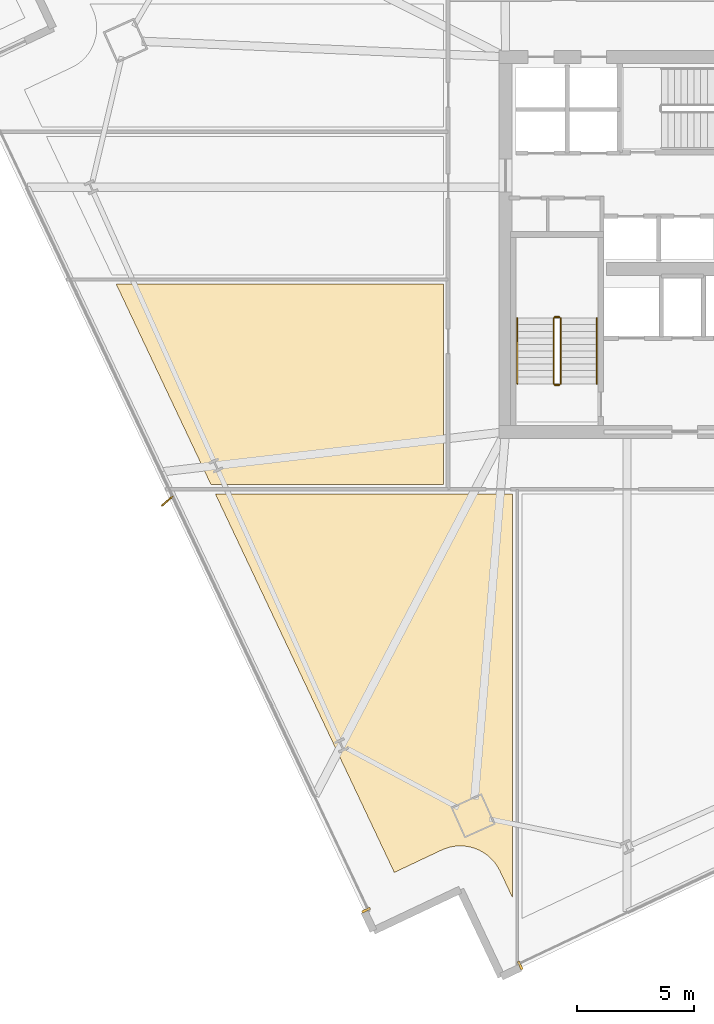
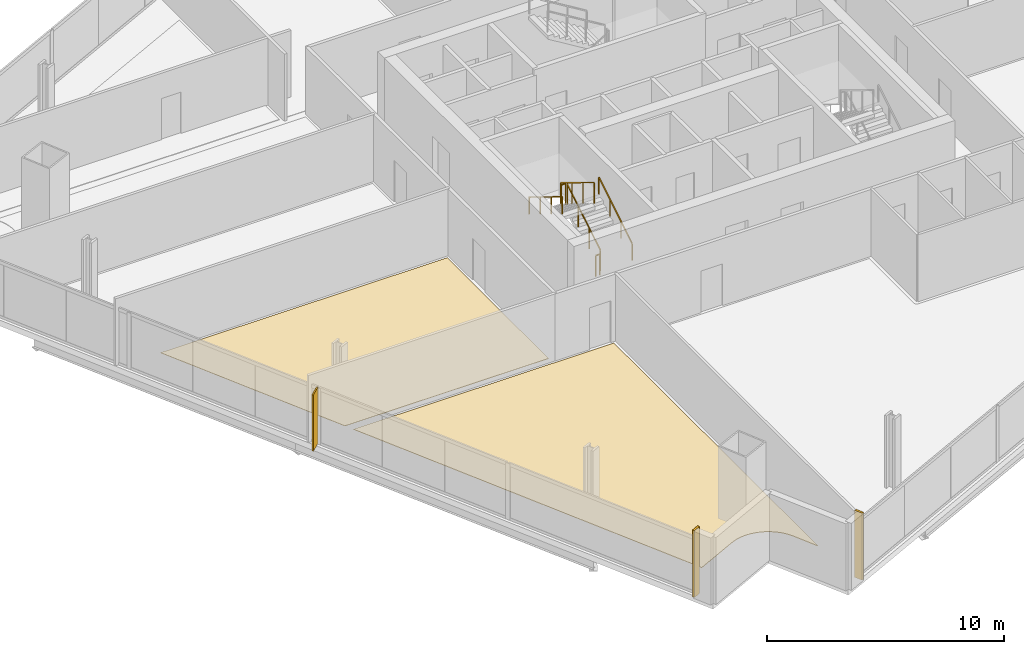
# One storey, part 29 of 34: 6 railings, 4 coverings, 1 shading device.
"""IFC4 building model written with IfcOpenShell, lengths in metres."""

from ifc_helpers import new_model, si_unit, direction, frame, origin, origin_2d, place, context, subcontext, project, spatial, polyline, rectangle, outline, extrude, source, transform, mapped, material, layer, layer_set, type_object, element, save


model = new_model("IFC4")

# Units and contexts
model_context = context("Model", 3, precision=1e-05, world=origin(), true_north=direction((0.0, 1.0)))
body_context = subcontext(model_context, "Body", "Model", "MODEL_VIEW")
ifc_project = project(units=[si_unit("LENGTHUNIT", "METRE"), si_unit("AREAUNIT", "SQUARE_METRE"), si_unit("VOLUMEUNIT", "CUBIC_METRE"), si_unit("PLANEANGLEUNIT", "RADIAN"), si_unit("MASSUNIT", "GRAM", prefix="KILO")], contexts=[model_context])

# Site, building, storey
site_placement = place(None, origin())
site = spatial("IfcSite", under=ifc_project, at=site_placement, CompositionType="ELEMENT")
building_placement = place(site_placement, origin())
building = spatial("IfcBuilding", under=site, at=building_placement, Name="Haldenkirk Collegiate Tower", CompositionType="ELEMENT")
storey_placement = place(building_placement, frame((0.0, 0.0, 112.949951171875)))
storey = spatial("IfcBuildingStorey", under=building, at=storey_placement, Name="L27", CompositionType="ELEMENT", Elevation=112.949951171875)

# Coverings
ifc_material_1 = material(Name="Polished collegiate terrazzo", Category="concrete")
ifc_layer_1 = layer(ifc_material_1, 0.02490234375)
ifc_layer_set_1 = layer_set([ifc_layer_1], Name="Polished collegiate terrazzo")
covering_type_1 = type_object("IfcCoveringType", Name="COV-FLOOR-TERRAZZO", PredefinedType="FLOORING", material=ifc_layer_set_1)
covering_1_placement = place(storey_placement, origin())
element("IfcCovering", 1, at=covering_1_placement, inside=storey, type_object=covering_type_1, Name="L27 academic room finish 02", PredefinedType="FLOORING", context=body_context, shape_type="SweptSolid", body=[
    extrude(outline(polyline([(26.18896484375, -0.039306640625), (26.179443359375, -0.0322265625), (26.03662109375, 0.063232421875), (26.026611328125, 0.069091796875), (25.875, 0.150146484375), (25.864501953125, 0.1552734375), (25.705810546875, 0.220947265625), (25.694580078125, 0.22509765625), (25.530517578125, 0.27490234375), (25.518798828125, 0.27783203125), (25.3505859375, 0.311279296875), (25.3388671875, 0.31298828125), (25.16796875, 0.329833984375), (25.15625, 0.33056640625), (24.984375, 0.33056640625), (24.97265625, 0.329833984375), (24.8017578125, 0.31298828125), (24.790283203125, 0.311279296875), (24.621826171875, 0.278076171875), (24.610107421875, 0.275146484375), (24.44580078125, 0.22509765625), (24.434814453125, 0.22119140625), (24.276123046875, 0.15576171875), (24.270751953125, 0.1533203125), (22.254638671875, -0.7998046875), (14.620849609375, 15.35009765625), (27.300048828125, 15.35009765625), (27.300048828125, -1.87939453125), (26.760498046875, -0.73828125), (26.7578125, -0.73291015625), (26.677001953125, -0.58154296875), (26.6708984375, -0.5712890625), (26.575439453125, -0.428466796875), (26.568603515625, -0.419189453125), (26.459716796875, -0.286376953125), (26.45166015625, -0.277587890625), (26.330322265625, -0.156005859375), (26.321533203125, -0.148193359375), (26.18896484375, -0.039306640625)])), origin(), (0.0, 0.0, 1.0), 0.025146484375),
])
ifc_material_2 = material(Name="Engineered collegiate oak acoustic flooring", Category="wood")
ifc_layer_2 = layer(ifc_material_2, 0.02197265625)
ifc_layer_set_2 = layer_set([ifc_layer_2], Name="Engineered collegiate oak acoustic flooring")
covering_type_2 = type_object("IfcCoveringType", Name="COV-FLOOR-TIMBER", PredefinedType="FLOORING", material=ifc_layer_set_2)
covering_2_placement = place(storey_placement, origin())
element("IfcCovering", 2, at=covering_2_placement, inside=storey, type_object=covering_type_2, Name="L27 academic room finish 09", PredefinedType="FLOORING", context=body_context, shape_type="SweptSolid", body=[
    extrude(outline(polyline([(10.39013671875, 24.300048828125), (24.35009765625, 24.300048828125), (24.35009765625, 15.75), (14.431640625, 15.75), (10.39013671875, 24.300048828125)])), origin(), (0.0, 0.0, 1.0), 0.02197265625),
])

# Railings
ifc_material_3 = material(Name="Painted architectural tubular steel", Category="steel")
railing_type_1 = type_object("IfcRailingType", Name="RLG-STAIR-GUARD-1100", PredefinedType="BALUSTRADE", material=ifc_material_3)
railing_1_placement = place(storey_placement, frame((29.35009765625, 20.050048828125, 0.17041015625)))
element("IfcRailing", 3, at=railing_1_placement, inside=storey, type_object=railing_type_1, Name="L27 ST-1 stair guard 1", PredefinedType="BALUSTRADE", context=body_context, shape_type="SweptSolid", body=[
    extrude(rectangle(XDim=0.048095703125, YDim=0.048095703125, at=origin_2d()), frame((0.0, 0.0, 1.076171875), z_axis=(0.0, 0.854169791009, 0.51999420009), x_axis=(-1.0, 0.0, 0.0)), (0.0, 0.0, 1.0), 3.278076171875),
    extrude(rectangle(XDim=0.0419921875, YDim=0.0419921875, at=origin_2d()), origin(), (0.0, 0.0, 1.0), 1.052001953125),
    extrude(rectangle(XDim=0.0419921875, YDim=0.0419921875, at=origin_2d()), frame((0.0, 0.933349609375, 0.568115234375)), (0.0, 0.0, 1.0), 1.052001953125),
    extrude(rectangle(XDim=0.0419921875, YDim=0.0419921875, at=origin_2d()), frame((0.0, 1.86669921875, 1.136474609375)), (0.0, 0.0, 1.0), 1.052001953125),
    extrude(rectangle(XDim=0.0419921875, YDim=0.0419921875, at=origin_2d()), frame((0.0, 2.800048828125, 1.70458984375)), (0.0, 0.0, 1.0), 1.052001953125),
])
railing_2_placement = place(storey_placement, frame((29.300048828125, 22.89990234375, 1.875)))
element("IfcRailing", 4, at=railing_2_placement, inside=storey, type_object=railing_type_1, Name="L27 ST-1 stair guard 2", PredefinedType="BALUSTRADE", context=body_context, shape_type="SweptSolid", body=[
    extrude(rectangle(XDim=0.048095703125, YDim=0.048095703125, at=origin_2d()), frame((0.0, 0.0, 1.076171875), z_axis=(-1.0, 0.0, 0.0), x_axis=(0.0, -1.0, 0.0)), (0.0, 0.0, 1.0), 0.199951171875),
    extrude(rectangle(XDim=0.0419921875, YDim=0.0419921875, at=origin_2d()), origin(), (0.0, 0.0, 1.0), 1.052001953125),
    extrude(rectangle(XDim=0.0419921875, YDim=0.0419921875, at=origin_2d()), frame((-0.199951171875, 0.0, 0.0)), (0.0, 0.0, 1.0), 1.052001953125),
])
railing_3_placement = place(storey_placement, frame((29.050048828125, 22.85009765625, 2.04541015625)))
element("IfcRailing", 5, at=railing_3_placement, inside=storey, type_object=railing_type_1, Name="L27 ST-1 stair guard 3", PredefinedType="BALUSTRADE", context=body_context, shape_type="SweptSolid", body=[
    extrude(rectangle(XDim=0.048095703125, YDim=0.048095703125, at=origin_2d()), frame((0.0, 0.0, 1.076171875), z_axis=(0.0, -0.854169791009, 0.51999420009), x_axis=(1.0, 0.0, 0.0)), (0.0, 0.0, 1.0), 3.278076171875),
    extrude(rectangle(XDim=0.0419921875, YDim=0.0419921875, at=origin_2d()), origin(), (0.0, 0.0, 1.0), 1.052001953125),
    extrude(rectangle(XDim=0.0419921875, YDim=0.0419921875, at=origin_2d()), frame((0.0, -0.933349609375, 0.568115234375)), (0.0, 0.0, 1.0), 1.052001953125),
    extrude(rectangle(XDim=0.0419921875, YDim=0.0419921875, at=origin_2d()), frame((0.0, -1.86669921875, 1.136474609375)), (0.0, 0.0, 1.0), 1.052001953125),
    extrude(rectangle(XDim=0.0419921875, YDim=0.0419921875, at=origin_2d()), frame((0.0, -2.800048828125, 1.70458984375)), (0.0, 0.0, 1.0), 1.052001953125),
])
railing_4_placement = place(storey_placement, frame((29.300048828125, 20.0, 0.0)))
element("IfcRailing", 6, at=railing_4_placement, inside=storey, type_object=railing_type_1, Name="L27 ST-1 stair guard 4", PredefinedType="BALUSTRADE", context=body_context, shape_type="SweptSolid", body=[
    extrude(rectangle(XDim=0.048095703125, YDim=0.048095703125, at=origin_2d()), frame((0.0, 0.0, 1.076171875), z_axis=(-1.0, 0.0, 0.0), x_axis=(0.0, -1.0, 0.0)), (0.0, 0.0, 1.0), 0.199951171875),
    extrude(rectangle(XDim=0.0419921875, YDim=0.0419921875, at=origin_2d()), origin(), (0.0, 0.0, 1.0), 1.052001953125),
    extrude(rectangle(XDim=0.0419921875, YDim=0.0419921875, at=origin_2d()), frame((-0.199951171875, 0.0, 0.0)), (0.0, 0.0, 1.0), 1.052001953125),
])
railing_type_2 = type_object("IfcRailingType", Name="RLG-STAIR-HANDRAIL-900", PredefinedType="HANDRAIL", material=ifc_material_3)
railing_5_placement = place(storey_placement, frame((30.89990234375, 20.050048828125, 0.17041015625)))
element("IfcRailing", 7, at=railing_5_placement, inside=storey, type_object=railing_type_2, Name="L27 ST-1 stair handrail 1", PredefinedType="HANDRAIL", context=body_context, shape_type="SweptSolid", body=[
    extrude(rectangle(XDim=0.048095703125, YDim=0.048095703125, at=origin_2d()), frame((0.0, 0.0, 0.8759765625), z_axis=(0.0, 0.854169791009, 0.51999420009), x_axis=(-1.0, 0.0, 0.0)), (0.0, 0.0, 1.0), 3.278076171875),
    extrude(rectangle(XDim=0.0419921875, YDim=0.0419921875, at=origin_2d()), origin(), (0.0, 0.0, 1.0), 0.851806640625),
    extrude(rectangle(XDim=0.0419921875, YDim=0.0419921875, at=origin_2d()), frame((0.0, 0.933349609375, 0.568115234375)), (0.0, 0.0, 1.0), 0.851806640625),
    extrude(rectangle(XDim=0.0419921875, YDim=0.0419921875, at=origin_2d()), frame((0.0, 1.86669921875, 1.136474609375)), (0.0, 0.0, 1.0), 0.851806640625),
    extrude(rectangle(XDim=0.0419921875, YDim=0.0419921875, at=origin_2d()), frame((0.0, 2.800048828125, 1.70458984375)), (0.0, 0.0, 1.0), 0.851806640625),
])
railing_6_placement = place(storey_placement, frame((27.5, 22.85009765625, 2.04541015625)))
element("IfcRailing", 8, at=railing_6_placement, inside=storey, type_object=railing_type_2, Name="L27 ST-1 stair handrail 2", PredefinedType="HANDRAIL", context=body_context, shape_type="SweptSolid", body=[
    extrude(rectangle(XDim=0.048095703125, YDim=0.048095703125, at=origin_2d()), frame((0.0, 0.0, 0.8759765625), z_axis=(0.0, -0.854169791009, 0.51999420009), x_axis=(1.0, 0.0, 0.0)), (0.0, 0.0, 1.0), 3.278076171875),
    extrude(rectangle(XDim=0.0419921875, YDim=0.0419921875, at=origin_2d()), origin(), (0.0, 0.0, 1.0), 0.851806640625),
    extrude(rectangle(XDim=0.0419921875, YDim=0.0419921875, at=origin_2d()), frame((0.0, -0.933349609375, 0.568115234375)), (0.0, 0.0, 1.0), 0.851806640625),
    extrude(rectangle(XDim=0.0419921875, YDim=0.0419921875, at=origin_2d()), frame((0.0, -1.86669921875, 1.136474609375)), (0.0, 0.0, 1.0), 0.851806640625),
    extrude(rectangle(XDim=0.0419921875, YDim=0.0419921875, at=origin_2d()), frame((0.0, -2.800048828125, 1.70458984375)), (0.0, 0.0, 1.0), 0.851806640625),
])

# Coverings
ifc_material_4 = material(Name="Anodised architectural bronze aluminium", Category="aluminium")
ifc_layer_3 = layer(ifc_material_4, 0.06005859375)
ifc_layer_set_3 = layer_set([ifc_layer_3], Name="Anodised architectural bronze aluminium")
covering_type_3 = type_object("IfcCoveringType", Name="COV-CLAD-BRONZE-60", PredefinedType="CLADDING", material=ifc_layer_set_3)
shared_shape_1 = source(origin(), body_context, "Body", "SweptSolid", [
    extrude(rectangle(XDim=0.10009765625, YDim=0.3798828125, at=origin_2d()), origin(), (0.0, 0.0, 1.0), 3.449951171875),
])
for number, where, z_axis, x_axis, name in (
    (9, (27.62451171875, -4.765380859375, 0.0), (0.0, 0.0, 1.0), (-0.904082549661, -0.427357863387, 0.0), "L27 recessed curtain-wall bronze jamb closure SJR"),
    (10, (21.047119140625, -2.41015625, 0.0), (0.0, 0.0, 1.0), (-0.427357863387, 0.904082549661, 0.0), "L27 recessed curtain-wall bronze jamb closure WJL"),
):
    element("IfcCovering", number, at=place(storey_placement, frame(where, z_axis=z_axis, x_axis=x_axis)), inside=storey, type_object=covering_type_3, Name=name, PredefinedType="CLADDING", context=body_context, shape_type="MappedRepresentation", body=[
        mapped(shared_shape_1, transform((0.0, 0.0, 0.0), x_axis=(1.0, 0.0, 0.0), y_axis=(0.0, 1.0, 0.0), z_axis=(0.0, 0.0, 1.0), scale=1.0)),
    ])

# Shading device
ifc_layer_4 = layer(ifc_material_4, 0.06494140625)
ifc_layer_set_4 = layer_set([ifc_layer_4], Name="Anodised architectural bronze aluminium")
shading_device_type = type_object("IfcShadingDeviceType", Name="SHD-FIN-BRONZE-620", PredefinedType="USERDEFINED", material=ifc_layer_set_4)
shared_shape_2 = source(origin(), body_context, "Body", "SweptSolid", [
    extrude(rectangle(XDim=0.6201171875, YDim=0.06494140625, at=origin_2d()), origin(), (0.0, 0.0, 1.0), 2.90087890625),
])
shading_device_placement = place(storey_placement, frame((12.56787109375, 15.048095703125, 0.0), z_axis=(0.0, 0.0, 1.0), x_axis=(-0.751264133504, -0.660001667961, 0.0)))
element("IfcShadingDevice", 11, at=shading_device_placement, inside=storey, type_object=shading_device_type, Name="L27 folded bronze solar fin 1", ObjectType="FIN", PredefinedType="USERDEFINED", context=body_context, shape_type="MappedRepresentation", body=[
    mapped(shared_shape_2, transform((0.0, 0.0, 0.0), x_axis=(1.0, 0.0, 0.0), y_axis=(0.0, 1.0, 0.0), z_axis=(0.0, 0.0, 1.0), scale=1.0)),
])

save(model, "model.ifc")
